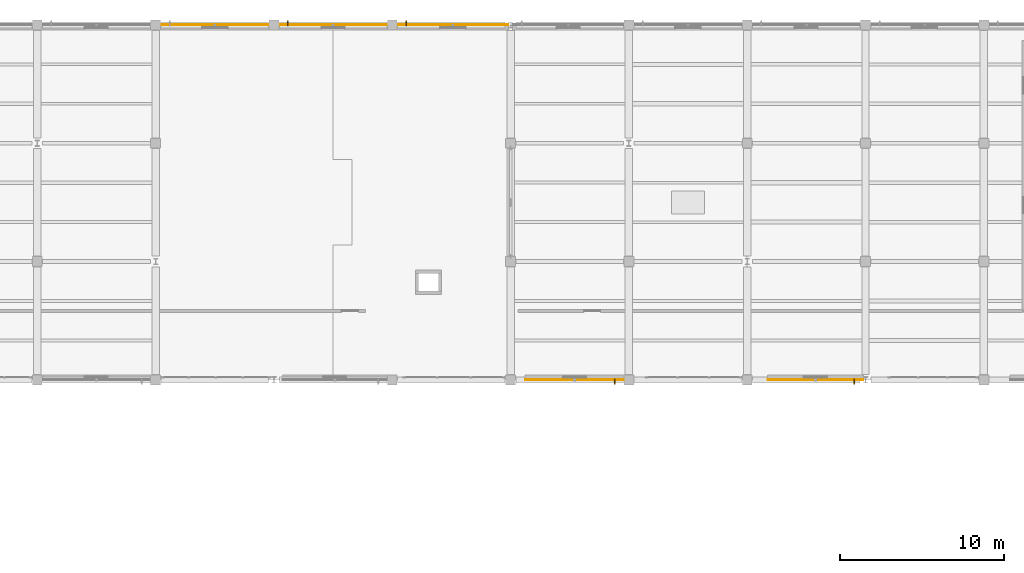
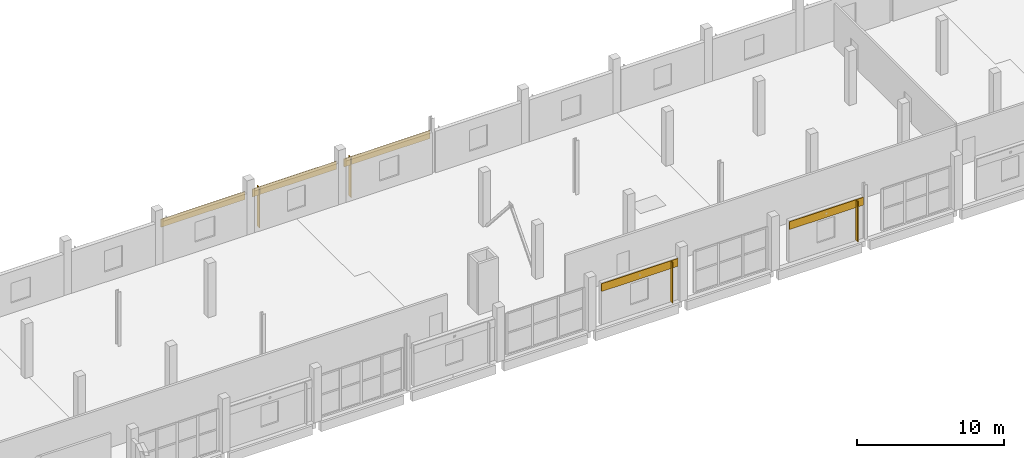
# One storey, part 115 of 123: 5 coverings, 4 shading devices.
"""IFC4 building model written with IfcOpenShell, lengths in metres."""

from ifc_helpers import new_model, si_unit, direction, frame, origin, origin_2d, place, context, subcontext, project, spatial, rectangle, extrude, material, layer, layer_set, type_object, element, save


model = new_model("IFC4")

# Units and contexts
model_context = context("Model", 3, precision=1e-05, world=origin(), true_north=direction((0.0, 1.0)))
body_context = subcontext(model_context, "Body", "Model", "MODEL_VIEW")
ifc_project = project(units=[si_unit("LENGTHUNIT", "METRE"), si_unit("AREAUNIT", "SQUARE_METRE"), si_unit("VOLUMEUNIT", "CUBIC_METRE"), si_unit("PLANEANGLEUNIT", "RADIAN"), si_unit("MASSUNIT", "GRAM", prefix="KILO")], contexts=[model_context])

# Site, building, storey
site_placement = place(None, origin())
site = spatial("IfcSite", under=ifc_project, at=site_placement, CompositionType="ELEMENT")
building_placement = place(site_placement, origin())
building = spatial("IfcBuilding", under=site, at=building_placement, Name="Kalmorath City Hall", CompositionType="ELEMENT")
storey_placement = place(building_placement, frame((0.0, 0.0, 10.199951171875)))
storey = spatial("IfcBuildingStorey", under=building, at=storey_placement, Name="L02", CompositionType="ELEMENT", Elevation=10.199951171875)

# Shading devices
ifc_material_1 = material(Name="Bronze anodised aluminium", Category="aluminium")
ifc_layer_1 = layer(ifc_material_1, 0.06005859375)
ifc_layer_set_1 = layer_set([ifc_layer_1], Name="Bronze anodised aluminium")
shading_device_type = type_object("IfcShadingDeviceType", Name="Bronze vertical solar fin 320", PredefinedType="USERDEFINED", material=ifc_layer_set_1)
shading_device_1_placement = place(storey_placement, frame((51.2509765625, 115.300048828125, 0.050048828125), z_axis=(0.0, 0.0, 1.0), x_axis=(1.0, 0.0, 0.0)))
element("IfcShadingDevice", 1, at=shading_device_1_placement, inside=storey, type_object=shading_device_type, Name="L02 bronze solar fin #228", ObjectType="FIN", PredefinedType="USERDEFINED", context=body_context, shape_type="SweptSolid", body=[
    extrude(rectangle(XDim=0.06005859375, YDim=0.320068359375, at=origin_2d()), origin(), (0.0, 0.0, 1.0), 3.37109375),
])
for number, where, z_axis, x_axis, name in (
    (2, (58.450927734375, 115.300048828125, 0.050048828125), (0.0, 0.0, 1.0), (1.0, 0.0, 0.0), "L02 bronze solar fin #229"),
    (3, (85.721923828125, 93.5, 0.050048828125), (0.0, 0.0, 1.0), (-1.0, 0.0, 0.0), "L02 bronze solar fin #257"),
):
    element("IfcShadingDevice", number, at=place(storey_placement, frame(where, z_axis=z_axis, x_axis=x_axis)), inside=storey, type_object=shading_device_type, Name=name, ObjectType="FIN", PredefinedType="USERDEFINED", context=body_context, shape_type="SweptSolid", body=[
        extrude(rectangle(XDim=0.06005859375, YDim=0.320068359375, at=origin_2d()), origin(), (0.0, 0.0, 1.0), 3.35107421875),
    ])
shading_device_2_placement = place(storey_placement, frame((71.14892578125, 93.5, 0.050048828125), z_axis=(0.0, 0.0, 1.0), x_axis=(-1.0, 0.0, 0.0)))
element("IfcShadingDevice", 4, at=shading_device_2_placement, inside=storey, type_object=shading_device_type, Name="L02 bronze solar fin #258", ObjectType="FIN", PredefinedType="USERDEFINED", context=body_context, shape_type="SweptSolid", body=[
    extrude(rectangle(XDim=0.06005859375, YDim=0.320068359375, at=origin_2d()), origin(), (0.0, 0.0, 1.0), 3.37109375),
])

# Coverings
ifc_material_2 = material(Name="Volcanic basalt stone cladding", Category="masonry")
ifc_layer_2 = layer(ifc_material_2, 0.06005859375)
ifc_layer_set_2 = layer_set([ifc_layer_2], Name="Volcanic basalt stone cladding")
covering_type = type_object("IfcCoveringType", Name="Volcanic basalt stone rainscreen cladding", PredefinedType="CLADDING", material=ifc_layer_set_2)
for number, where, z_axis, x_axis, name in (
    (5, (46.800048828125, 115.205078125, 2.796142578125), (0.0, 0.0, 1.0), (1.0, 0.0, 0.0), "L02 basalt spandrel cladding #41"),
    (6, (54.0, 115.205078125, 2.796142578125), (0.0, 0.0, 1.0), (1.0, 0.0, 0.0), "L02 basalt spandrel cladding #42"),
):
    element("IfcCovering", number, at=place(storey_placement, frame(where, z_axis=z_axis, x_axis=x_axis)), inside=storey, type_object=covering_type, Name=name, PredefinedType="CLADDING", context=body_context, shape_type="SweptSolid", body=[
        extrude(rectangle(XDim=6.597900390625, YDim=0.06005859375, at=origin_2d()), origin(), (0.0, 0.0, 1.0), 0.64990234375),
    ])
covering_1_placement = place(storey_placement, frame((61.28662109375, 115.205078125, 2.776123046875), z_axis=(0.0, 0.0, 1.0), x_axis=(1.0, 0.0, 0.0)))
element("IfcCovering", 7, at=covering_1_placement, inside=storey, type_object=covering_type, Name="L02 basalt spandrel cladding #43", PredefinedType="CLADDING", context=body_context, shape_type="SweptSolid", body=[
    extrude(rectangle(XDim=6.77099609375, YDim=0.06005859375, at=origin_2d()), origin(), (0.0, 0.0, 1.0), 0.64990234375),
])
covering_2_placement = place(storey_placement, frame((83.35498046875, 93.594970703125, 2.776123046875), z_axis=(0.0, 0.0, 1.0), x_axis=(-1.0, 0.0, 0.0)))
element("IfcCovering", 8, at=covering_2_placement, inside=storey, type_object=covering_type, Name="L02 basalt spandrel cladding #54", PredefinedType="CLADDING", context=body_context, shape_type="SweptSolid", body=[
    extrude(rectangle(XDim=5.833740234375, YDim=0.06005859375, at=origin_2d()), origin(), (0.0, 0.0, 1.0), 0.64990234375),
])
covering_3_placement = place(storey_placement, frame((68.691650390625, 93.594970703125, 2.796142578125), z_axis=(0.0, 0.0, 1.0), x_axis=(-1.0, 0.0, 0.0)))
element("IfcCovering", 9, at=covering_3_placement, inside=storey, type_object=covering_type, Name="L02 basalt spandrel cladding #55", PredefinedType="CLADDING", context=body_context, shape_type="SweptSolid", body=[
    extrude(rectangle(XDim=6.014404296875, YDim=0.06005859375, at=origin_2d()), origin(), (0.0, 0.0, 1.0), 0.64990234375),
])

save(model, "model.ifc")
